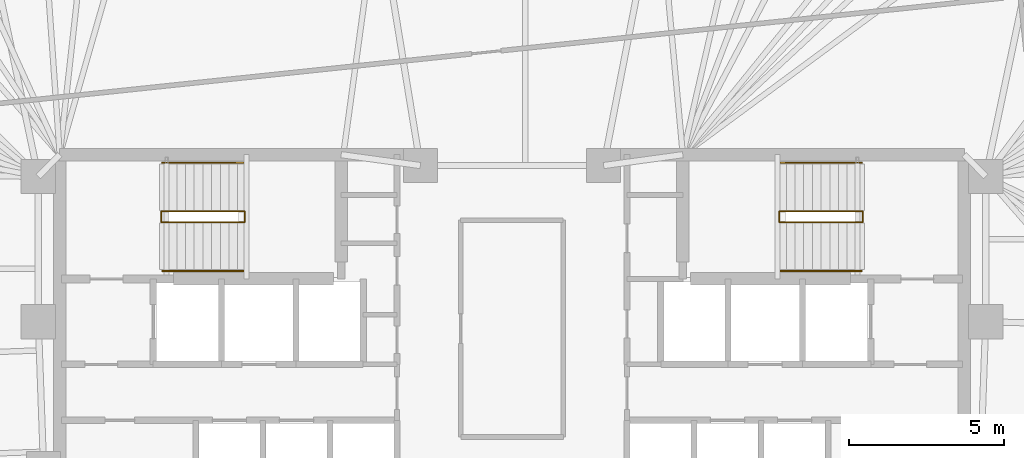
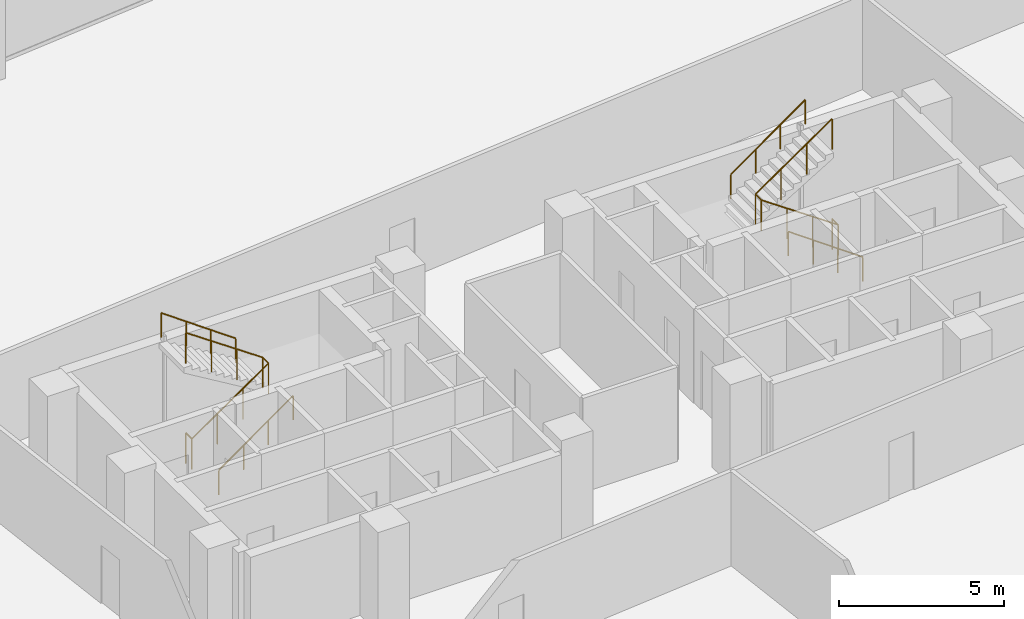
# One storey, part 17 of 17: 6 railings.
"""IFC4 building model written with IfcOpenShell, lengths in metres."""

from ifc_helpers import new_model, si_unit, direction, frame, origin, origin_2d, place, context, subcontext, project, spatial, circle, extrude, material, type_object, element, save


model = new_model("IFC4")

# Units and contexts
model_context = context("Model", 3, precision=1e-05, world=origin(), true_north=direction((0.0, 1.0)))
body_context = subcontext(model_context, "Body", "Model", "MODEL_VIEW")
ifc_project = project(units=[si_unit("LENGTHUNIT", "METRE"), si_unit("AREAUNIT", "SQUARE_METRE"), si_unit("VOLUMEUNIT", "CUBIC_METRE"), si_unit("PLANEANGLEUNIT", "RADIAN"), si_unit("MASSUNIT", "GRAM", prefix="KILO")], contexts=[model_context])

# Site, building, storey
site_placement = place(None, origin())
site = spatial("IfcSite", under=ifc_project, at=site_placement, CompositionType="ELEMENT")
building_placement = place(site_placement, origin())
building = spatial("IfcBuilding", under=site, at=building_placement, Name="Menara Jurai Vektor", CompositionType="ELEMENT")
storey_placement = place(building_placement, frame((0.0, 0.0, 131.800048828125)))
storey = spatial("IfcBuildingStorey", under=building, at=storey_placement, Name="L33", CompositionType="ELEMENT", Elevation=131.800048828125)

# Railings
ifc_material_1 = material(Name="Painted Galvanised Steel Balustrade", Category="steel")
railing_type_1 = type_object("IfcRailingType", Name="RAIL-STAIR-GUARD", PredefinedType="GUARDRAIL", material=ifc_material_1)
railing_1_placement = place(storey_placement, frame((-11.2900390625, 3.780029296875, 0.0)))
element("IfcRailing", 1, at=railing_1_placement, inside=storey, type_object=railing_type_1, Name="ST1 Stair Guardrail 1 L33", PredefinedType="GUARDRAIL", context=body_context, shape_type="SweptSolid", body=[
    extrude(circle(Radius=0.02392578125, at=origin_2d()), frame((0.0, 0.0, 1.1259765625), z_axis=(0.0, -1.0, 0.0), x_axis=(1.0, 0.0, 0.0)), (0.0, 0.0, 1.0), 0.360107421875),
    extrude(circle(Radius=0.02392578125, at=origin_2d()), frame((0.0, -0.360107421875, 1.1259765625), z_axis=(0.822979520584, 0.0, 0.568071041948), x_axis=(0.0, 1.0, 0.0)), (0.0, 0.0, 1.0), 3.25634765625),
    extrude(circle(Radius=0.02392578125, at=origin_2d()), frame((2.679931640625, -0.360107421875, 2.9755859375), z_axis=(0.0, 1.0, 0.0), x_axis=(-1.0, 0.0, 0.0)), (0.0, 0.0, 1.0), 0.360107421875),
    extrude(circle(Radius=0.02392578125, at=origin_2d()), frame((2.679931640625, 0.0, 2.9755859375), z_axis=(-0.822944469782, 0.0, 0.568121817619), x_axis=(0.0, -1.0, 0.0)), (0.0, 0.0, 1.0), 3.256591796875),
    extrude(circle(Radius=0.02099609375, at=origin_2d()), origin(), (0.0, 0.0, 1.0), 1.101806640625),
    extrude(circle(Radius=0.02099609375, at=origin_2d()), frame((0.0, -0.360107421875, 0.0)), (0.0, 0.0, 1.0), 1.101806640625),
    extrude(circle(Radius=0.02099609375, at=origin_2d()), frame((0.893310546875, -0.360107421875, 0.61669921875)), (0.0, 0.0, 1.0), 1.101806640625),
    extrude(circle(Radius=0.02099609375, at=origin_2d()), frame((1.78662109375, -0.360107421875, 1.233154296875)), (0.0, 0.0, 1.0), 1.101806640625),
    extrude(circle(Radius=0.02099609375, at=origin_2d()), frame((2.679931640625, -0.360107421875, 1.849853515625)), (0.0, 0.0, 1.0), 1.101806640625),
    extrude(circle(Radius=0.02099609375, at=origin_2d()), frame((2.679931640625, 0.0, 1.849853515625)), (0.0, 0.0, 1.0), 1.101806640625),
    extrude(circle(Radius=0.02099609375, at=origin_2d()), frame((1.78662109375, 0.0, 2.466552734375)), (0.0, 0.0, 1.0), 1.101806640625),
    extrude(circle(Radius=0.02099609375, at=origin_2d()), frame((0.893310546875, 0.0, 3.083251953125)), (0.0, 0.0, 1.0), 1.101806640625),
    extrude(circle(Radius=0.02099609375, at=origin_2d()), frame((0.0, 0.0, 3.699951171875)), (0.0, 0.0, 1.0), 1.101806640625),
])
railing_2_placement = place(storey_placement, frame((11.2900390625, 3.780029296875, 0.0)))
element("IfcRailing", 2, at=railing_2_placement, inside=storey, type_object=railing_type_1, Name="ST2 Stair Guardrail 1 L33", PredefinedType="GUARDRAIL", context=body_context, shape_type="SweptSolid", body=[
    extrude(circle(Radius=0.02392578125, at=origin_2d()), frame((0.0, 0.0, 1.1259765625), z_axis=(0.0, -1.0, 0.0), x_axis=(1.0, 0.0, 0.0)), (0.0, 0.0, 1.0), 0.360107421875),
    extrude(circle(Radius=0.02392578125, at=origin_2d()), frame((0.0, -0.360107421875, 1.1259765625), z_axis=(-0.822979520584, 0.0, 0.568071041948), x_axis=(0.0, -1.0, 0.0)), (0.0, 0.0, 1.0), 3.25634765625),
    extrude(circle(Radius=0.02392578125, at=origin_2d()), frame((-2.679931640625, -0.360107421875, 2.9755859375), z_axis=(0.0, 1.0, 0.0), x_axis=(-1.0, 0.0, 0.0)), (0.0, 0.0, 1.0), 0.360107421875),
    extrude(circle(Radius=0.02392578125, at=origin_2d()), frame((-2.679931640625, 0.0, 2.9755859375), z_axis=(0.822944469782, 0.0, 0.568121817619), x_axis=(0.0, 1.0, 0.0)), (0.0, 0.0, 1.0), 3.256591796875),
    extrude(circle(Radius=0.02099609375, at=origin_2d()), origin(), (0.0, 0.0, 1.0), 1.101806640625),
    extrude(circle(Radius=0.02099609375, at=origin_2d()), frame((0.0, -0.360107421875, 0.0)), (0.0, 0.0, 1.0), 1.101806640625),
    extrude(circle(Radius=0.02099609375, at=origin_2d()), frame((-0.893310546875, -0.360107421875, 0.61669921875)), (0.0, 0.0, 1.0), 1.101806640625),
    extrude(circle(Radius=0.02099609375, at=origin_2d()), frame((-1.78662109375, -0.360107421875, 1.233154296875)), (0.0, 0.0, 1.0), 1.101806640625),
    extrude(circle(Radius=0.02099609375, at=origin_2d()), frame((-2.679931640625, -0.360107421875, 1.849853515625)), (0.0, 0.0, 1.0), 1.101806640625),
    extrude(circle(Radius=0.02099609375, at=origin_2d()), frame((-2.679931640625, 0.0, 1.849853515625)), (0.0, 0.0, 1.0), 1.101806640625),
    extrude(circle(Radius=0.02099609375, at=origin_2d()), frame((-1.78662109375, 0.0, 2.466552734375)), (0.0, 0.0, 1.0), 1.101806640625),
    extrude(circle(Radius=0.02099609375, at=origin_2d()), frame((-0.893310546875, 0.0, 3.083251953125)), (0.0, 0.0, 1.0), 1.101806640625),
    extrude(circle(Radius=0.02099609375, at=origin_2d()), frame((0.0, 0.0, 3.699951171875)), (0.0, 0.0, 1.0), 1.101806640625),
])
ifc_material_2 = material(Name="Brushed Stainless Steel Handrail", Category="steel")
railing_type_2 = type_object("IfcRailingType", Name="RAIL-STAIR-HAND", PredefinedType="HANDRAIL", material=ifc_material_2)
railing_3_placement = place(storey_placement, frame((-11.25, 1.860107421875, 0.0)))
element("IfcRailing", 3, at=railing_3_placement, inside=storey, type_object=railing_type_2, Name="ST1 Stair Handrail 1 L33", PredefinedType="HANDRAIL", context=body_context, shape_type="SweptSolid", body=[
    extrude(circle(Radius=0.02392578125, at=origin_2d()), frame((0.0, 0.0, 0.89599609375), z_axis=(0.814822811145, 0.0, 0.579710088267), x_axis=(0.0, 1.0, 0.0)), (0.0, 0.0, 1.0), 3.19091796875),
    extrude(circle(Radius=0.02099609375, at=origin_2d()), origin(), (0.0, 0.0, 1.0), 0.871826171875),
    extrude(circle(Radius=0.02099609375, at=origin_2d()), frame((0.86669921875, 0.0, 0.61669921875)), (0.0, 0.0, 1.0), 0.871826171875),
    extrude(circle(Radius=0.02099609375, at=origin_2d()), frame((1.7333984375, 0.0, 1.233154296875)), (0.0, 0.0, 1.0), 0.871826171875),
    extrude(circle(Radius=0.02099609375, at=origin_2d()), frame((2.60009765625, 0.0, 1.849853515625)), (0.0, 0.0, 1.0), 0.871826171875),
])
railing_4_placement = place(storey_placement, frame((-8.64990234375, 5.340087890625, 1.849853515625)))
element("IfcRailing", 4, at=railing_4_placement, inside=storey, type_object=railing_type_2, Name="ST1 Stair Handrail 2 L33", PredefinedType="HANDRAIL", context=body_context, shape_type="SweptSolid", body=[
    extrude(circle(Radius=0.02392578125, at=origin_2d()), frame((0.0, 0.0, 0.89599609375), z_axis=(-0.814786671209, 0.0, 0.579760882106), x_axis=(0.0, -1.0, 0.0)), (0.0, 0.0, 1.0), 3.191162109375),
    extrude(circle(Radius=0.02099609375, at=origin_2d()), origin(), (0.0, 0.0, 1.0), 0.871826171875),
    extrude(circle(Radius=0.02099609375, at=origin_2d()), frame((-0.86669921875, 0.0, 0.61669921875)), (0.0, 0.0, 1.0), 0.871826171875),
    extrude(circle(Radius=0.02099609375, at=origin_2d()), frame((-1.7333984375, 0.0, 1.2333984375)), (0.0, 0.0, 1.0), 0.871826171875),
    extrude(circle(Radius=0.02099609375, at=origin_2d()), frame((-2.60009765625, 0.0, 1.85009765625)), (0.0, 0.0, 1.0), 0.871826171875),
])
railing_5_placement = place(storey_placement, frame((11.25, 1.860107421875, 0.0)))
element("IfcRailing", 5, at=railing_5_placement, inside=storey, type_object=railing_type_2, Name="ST2 Stair Handrail 1 L33", PredefinedType="HANDRAIL", context=body_context, shape_type="SweptSolid", body=[
    extrude(circle(Radius=0.02392578125, at=origin_2d()), frame((0.0, 0.0, 0.89599609375), z_axis=(-0.814822811145, 0.0, 0.579710088267), x_axis=(0.0, -1.0, 0.0)), (0.0, 0.0, 1.0), 3.19091796875),
    extrude(circle(Radius=0.02099609375, at=origin_2d()), origin(), (0.0, 0.0, 1.0), 0.871826171875),
    extrude(circle(Radius=0.02099609375, at=origin_2d()), frame((-0.86669921875, 0.0, 0.61669921875)), (0.0, 0.0, 1.0), 0.871826171875),
    extrude(circle(Radius=0.02099609375, at=origin_2d()), frame((-1.7333984375, 0.0, 1.233154296875)), (0.0, 0.0, 1.0), 0.871826171875),
    extrude(circle(Radius=0.02099609375, at=origin_2d()), frame((-2.60009765625, 0.0, 1.849853515625)), (0.0, 0.0, 1.0), 0.871826171875),
])
railing_6_placement = place(storey_placement, frame((8.64990234375, 5.340087890625, 1.849853515625)))
element("IfcRailing", 6, at=railing_6_placement, inside=storey, type_object=railing_type_2, Name="ST2 Stair Handrail 2 L33", PredefinedType="HANDRAIL", context=body_context, shape_type="SweptSolid", body=[
    extrude(circle(Radius=0.02392578125, at=origin_2d()), frame((0.0, 0.0, 0.89599609375), z_axis=(0.814786671209, 0.0, 0.579760882106), x_axis=(0.0, 1.0, 0.0)), (0.0, 0.0, 1.0), 3.191162109375),
    extrude(circle(Radius=0.02099609375, at=origin_2d()), origin(), (0.0, 0.0, 1.0), 0.871826171875),
    extrude(circle(Radius=0.02099609375, at=origin_2d()), frame((0.86669921875, 0.0, 0.61669921875)), (0.0, 0.0, 1.0), 0.871826171875),
    extrude(circle(Radius=0.02099609375, at=origin_2d()), frame((1.7333984375, 0.0, 1.2333984375)), (0.0, 0.0, 1.0), 0.871826171875),
    extrude(circle(Radius=0.02099609375, at=origin_2d()), frame((2.60009765625, 0.0, 1.85009765625)), (0.0, 0.0, 1.0), 0.871826171875),
])

save(model, "model.ifc")
